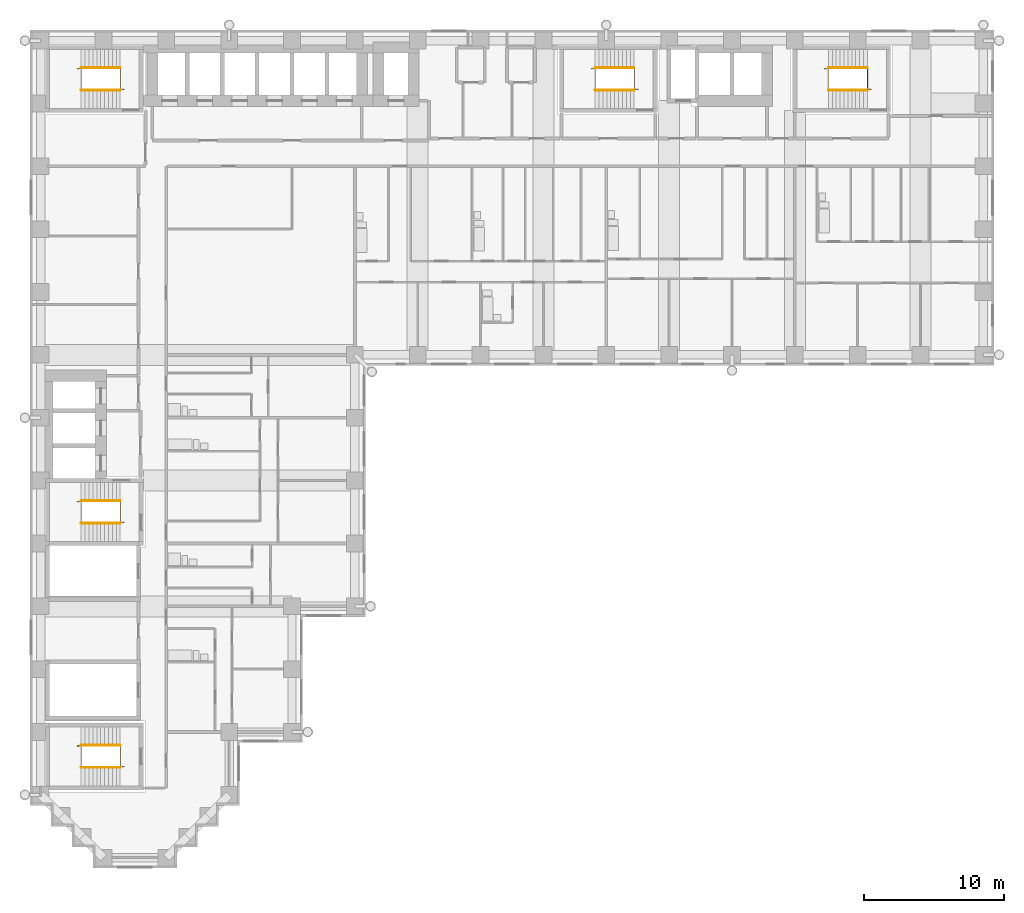
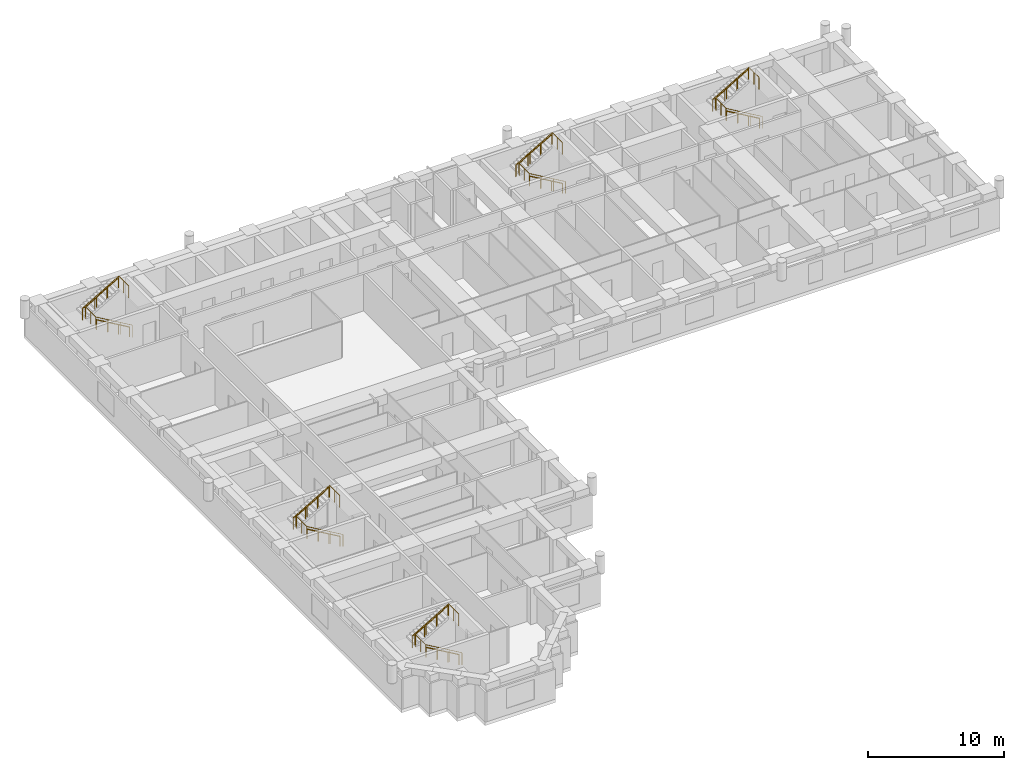
# One storey, part 13 of 14: 15 railings.
"""IFC4 building model written with IfcOpenShell, lengths in metres."""

from ifc_helpers import new_model, si_unit, direction, frame, origin, origin_2d, place, context, subcontext, project, spatial, circle, extrude, material, type_object, element, save


model = new_model("IFC4")

# Units and contexts
model_context = context("Model", 3, precision=1e-05, world=origin(), true_north=direction((0.0, 1.0)))
body_context = subcontext(model_context, "Body", "Model", "MODEL_VIEW")
ifc_project = project(units=[si_unit("LENGTHUNIT", "METRE"), si_unit("AREAUNIT", "SQUARE_METRE"), si_unit("VOLUMEUNIT", "CUBIC_METRE"), si_unit("PLANEANGLEUNIT", "RADIAN"), si_unit("MASSUNIT", "GRAM", prefix="KILO")], contexts=[model_context])

# Site, building, storey
site_placement = place(None, origin())
site = spatial("IfcSite", under=ifc_project, at=site_placement, CompositionType="ELEMENT")
building_placement = place(site_placement, origin())
building = spatial("IfcBuilding", under=site, at=building_placement, Name="Firuza Court", CompositionType="ELEMENT")
storey_placement = place(building_placement, frame((0.0, 0.0, 47.0)))
storey = spatial("IfcBuildingStorey", under=building, at=storey_placement, Name="L10", CompositionType="ELEMENT", Elevation=47.0)

# Railings
ifc_material_1 = material(Name="Steel S355", Category="steel")
railing_type_1 = type_object("IfcRailingType", Name="Handrail 900", PredefinedType="HANDRAIL", material=ifc_material_1)
railing_1_placement = place(storey_placement, frame((42.5, 54.949951171875, 0.16357421875)))
element("IfcRailing", 1, at=railing_1_placement, inside=storey, type_object=railing_type_1, Name="Handrail S1 flight 1", PredefinedType="HANDRAIL", context=body_context, shape_type="SweptSolid", body=[
    extrude(circle(Radius=0.02490234375, at=origin_2d()), frame((0.0, 0.0, 0.875), z_axis=(-0.863360870873, 0.0, 0.504586966384), x_axis=(0.0, -1.0, 0.0)), (0.0, 0.0, 1.0), 3.2431640625),
    extrude(circle(Radius=0.02001953125, at=origin_2d()), origin(), (0.0, 0.0, 1.0), 0.849853515625),
    extrude(circle(Radius=0.02001953125, at=origin_2d()), frame((-0.933349609375, 0.0, 0.54541015625)), (0.0, 0.0, 1.0), 0.849853515625),
    extrude(circle(Radius=0.02001953125, at=origin_2d()), frame((-1.86669921875, 0.0, 1.091064453125)), (0.0, 0.0, 1.0), 0.849853515625),
    extrude(circle(Radius=0.02001953125, at=origin_2d()), frame((-2.800048828125, 0.0, 1.636474609375)), (0.0, 0.0, 1.0), 0.849853515625),
])
railing_2_placement = place(storey_placement, frame((39.699951171875, 56.550048828125, 1.963623046875)))
element("IfcRailing", 2, at=railing_2_placement, inside=storey, type_object=railing_type_1, Name="Handrail S1 flight 2", PredefinedType="HANDRAIL", context=body_context, shape_type="SweptSolid", body=[
    extrude(circle(Radius=0.02490234375, at=origin_2d()), frame((0.0, 0.0, 0.875), z_axis=(0.863360870873, 0.0, 0.504586966384), x_axis=(0.0, 1.0, 0.0)), (0.0, 0.0, 1.0), 3.2431640625),
    extrude(circle(Radius=0.02001953125, at=origin_2d()), origin(), (0.0, 0.0, 1.0), 0.849853515625),
    extrude(circle(Radius=0.02001953125, at=origin_2d()), frame((0.933349609375, 0.0, 0.54541015625)), (0.0, 0.0, 1.0), 0.849853515625),
    extrude(circle(Radius=0.02001953125, at=origin_2d()), frame((1.86669921875, 0.0, 1.091064453125)), (0.0, 0.0, 1.0), 0.849853515625),
    extrude(circle(Radius=0.02001953125, at=origin_2d()), frame((2.800048828125, 0.0, 1.636474609375)), (0.0, 0.0, 1.0), 0.849853515625),
])
railing_3_placement = place(storey_placement, frame((5.699951171875, 23.949951171875, 0.16357421875)))
element("IfcRailing", 3, at=railing_3_placement, inside=storey, type_object=railing_type_1, Name="Handrail S2 flight 1", PredefinedType="HANDRAIL", context=body_context, shape_type="SweptSolid", body=[
    extrude(circle(Radius=0.02490234375, at=origin_2d()), frame((0.0, 0.0, 0.875), z_axis=(-0.863360870873, 0.0, 0.504586966384), x_axis=(0.0, -1.0, 0.0)), (0.0, 0.0, 1.0), 3.2431640625),
    extrude(circle(Radius=0.02001953125, at=origin_2d()), origin(), (0.0, 0.0, 1.0), 0.849853515625),
    extrude(circle(Radius=0.02001953125, at=origin_2d()), frame((-0.933349609375, 0.0, 0.54541015625)), (0.0, 0.0, 1.0), 0.849853515625),
    extrude(circle(Radius=0.02001953125, at=origin_2d()), frame((-1.86669921875, 0.0, 1.091064453125)), (0.0, 0.0, 1.0), 0.849853515625),
    extrude(circle(Radius=0.02001953125, at=origin_2d()), frame((-2.800048828125, 0.0, 1.636474609375)), (0.0, 0.0, 1.0), 0.849853515625),
])
railing_4_placement = place(storey_placement, frame((2.89990234375, 25.550048828125, 1.963623046875)))
element("IfcRailing", 4, at=railing_4_placement, inside=storey, type_object=railing_type_1, Name="Handrail S2 flight 2", PredefinedType="HANDRAIL", context=body_context, shape_type="SweptSolid", body=[
    extrude(circle(Radius=0.02490234375, at=origin_2d()), frame((0.0, 0.0, 0.875), z_axis=(0.863360870873, 0.0, 0.504586966384), x_axis=(0.0, 1.0, 0.0)), (0.0, 0.0, 1.0), 3.2431640625),
    extrude(circle(Radius=0.02001953125, at=origin_2d()), origin(), (0.0, 0.0, 1.0), 0.849853515625),
    extrude(circle(Radius=0.02001953125, at=origin_2d()), frame((0.933349609375, 0.0, 0.54541015625)), (0.0, 0.0, 1.0), 0.849853515625),
    extrude(circle(Radius=0.02001953125, at=origin_2d()), frame((1.86669921875, 0.0, 1.091064453125)), (0.0, 0.0, 1.0), 0.849853515625),
    extrude(circle(Radius=0.02001953125, at=origin_2d()), frame((2.800048828125, 0.0, 1.636474609375)), (0.0, 0.0, 1.0), 0.849853515625),
])
railing_5_placement = place(storey_placement, frame((5.699951171875, 54.949951171875, 0.16357421875)))
element("IfcRailing", 5, at=railing_5_placement, inside=storey, type_object=railing_type_1, Name="Handrail S3 flight 1", PredefinedType="HANDRAIL", context=body_context, shape_type="SweptSolid", body=[
    extrude(circle(Radius=0.02490234375, at=origin_2d()), frame((0.0, 0.0, 0.875), z_axis=(-0.863360870873, 0.0, 0.504586966384), x_axis=(0.0, -1.0, 0.0)), (0.0, 0.0, 1.0), 3.2431640625),
    extrude(circle(Radius=0.02001953125, at=origin_2d()), origin(), (0.0, 0.0, 1.0), 0.849853515625),
    extrude(circle(Radius=0.02001953125, at=origin_2d()), frame((-0.933349609375, 0.0, 0.54541015625)), (0.0, 0.0, 1.0), 0.849853515625),
    extrude(circle(Radius=0.02001953125, at=origin_2d()), frame((-1.86669921875, 0.0, 1.091064453125)), (0.0, 0.0, 1.0), 0.849853515625),
    extrude(circle(Radius=0.02001953125, at=origin_2d()), frame((-2.800048828125, 0.0, 1.636474609375)), (0.0, 0.0, 1.0), 0.849853515625),
])
railing_6_placement = place(storey_placement, frame((2.89990234375, 56.550048828125, 1.963623046875)))
element("IfcRailing", 6, at=railing_6_placement, inside=storey, type_object=railing_type_1, Name="Handrail S3 flight 2", PredefinedType="HANDRAIL", context=body_context, shape_type="SweptSolid", body=[
    extrude(circle(Radius=0.02490234375, at=origin_2d()), frame((0.0, 0.0, 0.875), z_axis=(0.863360870873, 0.0, 0.504586966384), x_axis=(0.0, 1.0, 0.0)), (0.0, 0.0, 1.0), 3.2431640625),
    extrude(circle(Radius=0.02001953125, at=origin_2d()), origin(), (0.0, 0.0, 1.0), 0.849853515625),
    extrude(circle(Radius=0.02001953125, at=origin_2d()), frame((0.933349609375, 0.0, 0.54541015625)), (0.0, 0.0, 1.0), 0.849853515625),
    extrude(circle(Radius=0.02001953125, at=origin_2d()), frame((1.86669921875, 0.0, 1.091064453125)), (0.0, 0.0, 1.0), 0.849853515625),
    extrude(circle(Radius=0.02001953125, at=origin_2d()), frame((2.800048828125, 0.0, 1.636474609375)), (0.0, 0.0, 1.0), 0.849853515625),
])
railing_7_placement = place(storey_placement, frame((59.199951171875, 54.949951171875, 0.16357421875)))
element("IfcRailing", 7, at=railing_7_placement, inside=storey, type_object=railing_type_1, Name="Handrail S4 flight 1", PredefinedType="HANDRAIL", context=body_context, shape_type="SweptSolid", body=[
    extrude(circle(Radius=0.02490234375, at=origin_2d()), frame((0.0, 0.0, 0.875), z_axis=(-0.863360870873, 0.0, 0.504586966384), x_axis=(0.0, -1.0, 0.0)), (0.0, 0.0, 1.0), 3.2431640625),
    extrude(circle(Radius=0.02001953125, at=origin_2d()), origin(), (0.0, 0.0, 1.0), 0.849853515625),
    extrude(circle(Radius=0.02001953125, at=origin_2d()), frame((-0.933349609375, 0.0, 0.54541015625)), (0.0, 0.0, 1.0), 0.849853515625),
    extrude(circle(Radius=0.02001953125, at=origin_2d()), frame((-1.86669921875, 0.0, 1.091064453125)), (0.0, 0.0, 1.0), 0.849853515625),
    extrude(circle(Radius=0.02001953125, at=origin_2d()), frame((-2.800048828125, 0.0, 1.636474609375)), (0.0, 0.0, 1.0), 0.849853515625),
])
railing_8_placement = place(storey_placement, frame((56.39990234375, 56.550048828125, 1.963623046875)))
element("IfcRailing", 8, at=railing_8_placement, inside=storey, type_object=railing_type_1, Name="Handrail S4 flight 2", PredefinedType="HANDRAIL", context=body_context, shape_type="SweptSolid", body=[
    extrude(circle(Radius=0.02490234375, at=origin_2d()), frame((0.0, 0.0, 0.875), z_axis=(0.863360870873, 0.0, 0.504586966384), x_axis=(0.0, 1.0, 0.0)), (0.0, 0.0, 1.0), 3.2431640625),
    extrude(circle(Radius=0.02001953125, at=origin_2d()), origin(), (0.0, 0.0, 1.0), 0.849853515625),
    extrude(circle(Radius=0.02001953125, at=origin_2d()), frame((0.933349609375, 0.0, 0.54541015625)), (0.0, 0.0, 1.0), 0.849853515625),
    extrude(circle(Radius=0.02001953125, at=origin_2d()), frame((1.86669921875, 0.0, 1.091064453125)), (0.0, 0.0, 1.0), 0.849853515625),
    extrude(circle(Radius=0.02001953125, at=origin_2d()), frame((2.800048828125, 0.0, 1.636474609375)), (0.0, 0.0, 1.0), 0.849853515625),
])
railing_9_placement = place(storey_placement, frame((5.699951171875, 6.449951171875, 0.16357421875)))
element("IfcRailing", 9, at=railing_9_placement, inside=storey, type_object=railing_type_1, Name="Handrail S5 flight 1", PredefinedType="HANDRAIL", context=body_context, shape_type="SweptSolid", body=[
    extrude(circle(Radius=0.02490234375, at=origin_2d()), frame((0.0, 0.0, 0.875), z_axis=(-0.863360870873, 0.0, 0.504586966384), x_axis=(0.0, -1.0, 0.0)), (0.0, 0.0, 1.0), 3.2431640625),
    extrude(circle(Radius=0.02001953125, at=origin_2d()), origin(), (0.0, 0.0, 1.0), 0.849853515625),
    extrude(circle(Radius=0.02001953125, at=origin_2d()), frame((-0.933349609375, 0.0, 0.54541015625)), (0.0, 0.0, 1.0), 0.849853515625),
    extrude(circle(Radius=0.02001953125, at=origin_2d()), frame((-1.86669921875, 0.0, 1.091064453125)), (0.0, 0.0, 1.0), 0.849853515625),
    extrude(circle(Radius=0.02001953125, at=origin_2d()), frame((-2.800048828125, 0.0, 1.636474609375)), (0.0, 0.0, 1.0), 0.849853515625),
])
railing_10_placement = place(storey_placement, frame((2.89990234375, 8.050048828125, 1.963623046875)))
element("IfcRailing", 10, at=railing_10_placement, inside=storey, type_object=railing_type_1, Name="Handrail S5 flight 2", PredefinedType="HANDRAIL", context=body_context, shape_type="SweptSolid", body=[
    extrude(circle(Radius=0.02490234375, at=origin_2d()), frame((0.0, 0.0, 0.875), z_axis=(0.863360870873, 0.0, 0.504586966384), x_axis=(0.0, 1.0, 0.0)), (0.0, 0.0, 1.0), 3.2431640625),
    extrude(circle(Radius=0.02001953125, at=origin_2d()), origin(), (0.0, 0.0, 1.0), 0.849853515625),
    extrude(circle(Radius=0.02001953125, at=origin_2d()), frame((0.933349609375, 0.0, 0.54541015625)), (0.0, 0.0, 1.0), 0.849853515625),
    extrude(circle(Radius=0.02001953125, at=origin_2d()), frame((1.86669921875, 0.0, 1.091064453125)), (0.0, 0.0, 1.0), 0.849853515625),
    extrude(circle(Radius=0.02001953125, at=origin_2d()), frame((2.800048828125, 0.0, 1.636474609375)), (0.0, 0.0, 1.0), 0.849853515625),
])
ifc_material_2 = material(Name="Steel S355", Category="steel")
railing_type_2 = type_object("IfcRailingType", Name="Stair guard 1100", PredefinedType="GUARDRAIL", material=ifc_material_2)
railing_11_placement = place(storey_placement, frame((42.780029296875, 55.010009765625, 0.0)))
element("IfcRailing", 11, at=railing_11_placement, inside=storey, type_object=railing_type_2, Name="Stair well guard S1", PredefinedType="GUARDRAIL", context=body_context, shape_type="SweptSolid", body=[
    extrude(circle(Radius=0.02490234375, at=origin_2d()), frame((0.0, 0.0, 1.0751953125), z_axis=(-0.863371556955, 0.0, 0.504568681787), x_axis=(0.0, -1.0, 0.0)), (0.0, 0.0, 1.0), 3.5673828125),
    extrude(circle(Radius=0.02490234375, at=origin_2d()), frame((-3.080078125, 0.0, 2.875), z_axis=(0.0, 1.0, 0.0), x_axis=(-1.0, 0.0, 0.0)), (0.0, 0.0, 1.0), 1.47998046875),
    extrude(circle(Radius=0.02490234375, at=origin_2d()), frame((-3.080078125, 1.47998046875, 2.875), z_axis=(-1.0, 0.0, 0.0), x_axis=(0.0, -1.0, 0.0)), (0.0, 0.0, 1.0), 0.280029296875),
    extrude(circle(Radius=0.02490234375, at=origin_2d()), frame((-3.360107421875, 1.47998046875, 2.875), z_axis=(0.863371556955, 0.0, 0.504568681787), x_axis=(0.0, 1.0, 0.0)), (0.0, 0.0, 1.0), 3.5673828125),
    extrude(circle(Radius=0.02490234375, at=origin_2d()), frame((-0.280029296875, 1.47998046875, 4.67529296875), z_axis=(0.0, -1.0, 0.0), x_axis=(1.0, 0.0, 0.0)), (0.0, 0.0, 1.0), 1.47998046875),
    extrude(circle(Radius=0.02490234375, at=origin_2d()), origin(), (0.0, 0.0, 1.0), 1.050048828125),
    extrude(circle(Radius=0.02490234375, at=origin_2d()), frame((-1.026611328125, 0.0, 0.60009765625)), (0.0, 0.0, 1.0), 1.050048828125),
    extrude(circle(Radius=0.02490234375, at=origin_2d()), frame((-2.053466796875, 0.0, 1.199951171875)), (0.0, 0.0, 1.0), 1.050048828125),
    extrude(circle(Radius=0.02490234375, at=origin_2d()), frame((-3.080078125, 0.0, 1.800048828125)), (0.0, 0.0, 1.0), 1.050048828125),
    extrude(circle(Radius=0.02490234375, at=origin_2d()), frame((-3.080078125, 0.739990234375, 1.800048828125)), (0.0, 0.0, 1.0), 1.050048828125),
    extrude(circle(Radius=0.02490234375, at=origin_2d()), frame((-3.080078125, 1.47998046875, 1.800048828125)), (0.0, 0.0, 1.0), 1.050048828125),
    extrude(circle(Radius=0.02490234375, at=origin_2d()), frame((-3.360107421875, 1.47998046875, 1.800048828125)), (0.0, 0.0, 1.0), 1.050048828125),
    extrude(circle(Radius=0.02490234375, at=origin_2d()), frame((-2.33349609375, 1.47998046875, 2.400146484375)), (0.0, 0.0, 1.0), 1.050048828125),
    extrude(circle(Radius=0.02490234375, at=origin_2d()), frame((-1.306640625, 1.47998046875, 3.0)), (0.0, 0.0, 1.0), 1.050048828125),
    extrude(circle(Radius=0.02490234375, at=origin_2d()), frame((-0.280029296875, 1.47998046875, 3.60009765625)), (0.0, 0.0, 1.0), 1.050048828125),
    extrude(circle(Radius=0.02490234375, at=origin_2d()), frame((-0.280029296875, 0.739990234375, 3.60009765625)), (0.0, 0.0, 1.0), 1.050048828125),
    extrude(circle(Radius=0.02490234375, at=origin_2d()), frame((-0.280029296875, 0.0, 3.60009765625)), (0.0, 0.0, 1.0), 1.050048828125),
])
railing_12_placement = place(storey_placement, frame((5.97998046875, 24.010009765625, 0.0)))
element("IfcRailing", 12, at=railing_12_placement, inside=storey, type_object=railing_type_2, Name="Stair well guard S2", PredefinedType="GUARDRAIL", context=body_context, shape_type="SweptSolid", body=[
    extrude(circle(Radius=0.02490234375, at=origin_2d()), frame((0.0, 0.0, 1.0751953125), z_axis=(-0.863371556955, 0.0, 0.504568681787), x_axis=(0.0, -1.0, 0.0)), (0.0, 0.0, 1.0), 3.5673828125),
    extrude(circle(Radius=0.02490234375, at=origin_2d()), frame((-3.080078125, 0.0, 2.875), z_axis=(0.0, 1.0, 0.0), x_axis=(-1.0, 0.0, 0.0)), (0.0, 0.0, 1.0), 1.47998046875),
    extrude(circle(Radius=0.02490234375, at=origin_2d()), frame((-3.080078125, 1.47998046875, 2.875), z_axis=(-1.0, 0.0, 0.0), x_axis=(0.0, -1.0, 0.0)), (0.0, 0.0, 1.0), 0.27978515625),
    extrude(circle(Radius=0.02490234375, at=origin_2d()), frame((-3.35986328125, 1.47998046875, 2.875), z_axis=(0.863354132664, 0.0, 0.504598495452), x_axis=(0.0, 1.0, 0.0)), (0.0, 0.0, 1.0), 3.5673828125),
    extrude(circle(Radius=0.02490234375, at=origin_2d()), frame((-0.280029296875, 1.47998046875, 4.67529296875), z_axis=(0.0, -1.0, 0.0), x_axis=(1.0, 0.0, 0.0)), (0.0, 0.0, 1.0), 1.47998046875),
    extrude(circle(Radius=0.02490234375, at=origin_2d()), origin(), (0.0, 0.0, 1.0), 1.050048828125),
    extrude(circle(Radius=0.02490234375, at=origin_2d()), frame((-1.026611328125, 0.0, 0.60009765625)), (0.0, 0.0, 1.0), 1.050048828125),
    extrude(circle(Radius=0.02490234375, at=origin_2d()), frame((-2.053466796875, 0.0, 1.199951171875)), (0.0, 0.0, 1.0), 1.050048828125),
    extrude(circle(Radius=0.02490234375, at=origin_2d()), frame((-3.080078125, 0.0, 1.800048828125)), (0.0, 0.0, 1.0), 1.050048828125),
    extrude(circle(Radius=0.02490234375, at=origin_2d()), frame((-3.080078125, 0.739990234375, 1.800048828125)), (0.0, 0.0, 1.0), 1.050048828125),
    extrude(circle(Radius=0.02490234375, at=origin_2d()), frame((-3.080078125, 1.47998046875, 1.800048828125)), (0.0, 0.0, 1.0), 1.050048828125),
    extrude(circle(Radius=0.02490234375, at=origin_2d()), frame((-3.35986328125, 1.47998046875, 1.800048828125)), (0.0, 0.0, 1.0), 1.050048828125),
    extrude(circle(Radius=0.02490234375, at=origin_2d()), frame((-2.333251953125, 1.47998046875, 2.400146484375)), (0.0, 0.0, 1.0), 1.050048828125),
    extrude(circle(Radius=0.02490234375, at=origin_2d()), frame((-1.306640625, 1.47998046875, 3.0)), (0.0, 0.0, 1.0), 1.050048828125),
    extrude(circle(Radius=0.02490234375, at=origin_2d()), frame((-0.280029296875, 1.47998046875, 3.60009765625)), (0.0, 0.0, 1.0), 1.050048828125),
    extrude(circle(Radius=0.02490234375, at=origin_2d()), frame((-0.280029296875, 0.739990234375, 3.60009765625)), (0.0, 0.0, 1.0), 1.050048828125),
    extrude(circle(Radius=0.02490234375, at=origin_2d()), frame((-0.280029296875, 0.0, 3.60009765625)), (0.0, 0.0, 1.0), 1.050048828125),
])
railing_13_placement = place(storey_placement, frame((5.97998046875, 55.010009765625, 0.0)))
element("IfcRailing", 13, at=railing_13_placement, inside=storey, type_object=railing_type_2, Name="Stair well guard S3", PredefinedType="GUARDRAIL", context=body_context, shape_type="SweptSolid", body=[
    extrude(circle(Radius=0.02490234375, at=origin_2d()), frame((0.0, 0.0, 1.0751953125), z_axis=(-0.863371556955, 0.0, 0.504568681787), x_axis=(0.0, -1.0, 0.0)), (0.0, 0.0, 1.0), 3.5673828125),
    extrude(circle(Radius=0.02490234375, at=origin_2d()), frame((-3.080078125, 0.0, 2.875), z_axis=(0.0, 1.0, 0.0), x_axis=(-1.0, 0.0, 0.0)), (0.0, 0.0, 1.0), 1.47998046875),
    extrude(circle(Radius=0.02490234375, at=origin_2d()), frame((-3.080078125, 1.47998046875, 2.875), z_axis=(-1.0, 0.0, 0.0), x_axis=(0.0, -1.0, 0.0)), (0.0, 0.0, 1.0), 0.27978515625),
    extrude(circle(Radius=0.02490234375, at=origin_2d()), frame((-3.35986328125, 1.47998046875, 2.875), z_axis=(0.863354132664, 0.0, 0.504598495452), x_axis=(0.0, 1.0, 0.0)), (0.0, 0.0, 1.0), 3.5673828125),
    extrude(circle(Radius=0.02490234375, at=origin_2d()), frame((-0.280029296875, 1.47998046875, 4.67529296875), z_axis=(0.0, -1.0, 0.0), x_axis=(1.0, 0.0, 0.0)), (0.0, 0.0, 1.0), 1.47998046875),
    extrude(circle(Radius=0.02490234375, at=origin_2d()), origin(), (0.0, 0.0, 1.0), 1.050048828125),
    extrude(circle(Radius=0.02490234375, at=origin_2d()), frame((-1.026611328125, 0.0, 0.60009765625)), (0.0, 0.0, 1.0), 1.050048828125),
    extrude(circle(Radius=0.02490234375, at=origin_2d()), frame((-2.053466796875, 0.0, 1.199951171875)), (0.0, 0.0, 1.0), 1.050048828125),
    extrude(circle(Radius=0.02490234375, at=origin_2d()), frame((-3.080078125, 0.0, 1.800048828125)), (0.0, 0.0, 1.0), 1.050048828125),
    extrude(circle(Radius=0.02490234375, at=origin_2d()), frame((-3.080078125, 0.739990234375, 1.800048828125)), (0.0, 0.0, 1.0), 1.050048828125),
    extrude(circle(Radius=0.02490234375, at=origin_2d()), frame((-3.080078125, 1.47998046875, 1.800048828125)), (0.0, 0.0, 1.0), 1.050048828125),
    extrude(circle(Radius=0.02490234375, at=origin_2d()), frame((-3.35986328125, 1.47998046875, 1.800048828125)), (0.0, 0.0, 1.0), 1.050048828125),
    extrude(circle(Radius=0.02490234375, at=origin_2d()), frame((-2.333251953125, 1.47998046875, 2.400146484375)), (0.0, 0.0, 1.0), 1.050048828125),
    extrude(circle(Radius=0.02490234375, at=origin_2d()), frame((-1.306640625, 1.47998046875, 3.0)), (0.0, 0.0, 1.0), 1.050048828125),
    extrude(circle(Radius=0.02490234375, at=origin_2d()), frame((-0.280029296875, 1.47998046875, 3.60009765625)), (0.0, 0.0, 1.0), 1.050048828125),
    extrude(circle(Radius=0.02490234375, at=origin_2d()), frame((-0.280029296875, 0.739990234375, 3.60009765625)), (0.0, 0.0, 1.0), 1.050048828125),
    extrude(circle(Radius=0.02490234375, at=origin_2d()), frame((-0.280029296875, 0.0, 3.60009765625)), (0.0, 0.0, 1.0), 1.050048828125),
])
railing_14_placement = place(storey_placement, frame((59.47998046875, 55.010009765625, 0.0)))
element("IfcRailing", 14, at=railing_14_placement, inside=storey, type_object=railing_type_2, Name="Stair well guard S4", PredefinedType="GUARDRAIL", context=body_context, shape_type="SweptSolid", body=[
    extrude(circle(Radius=0.02490234375, at=origin_2d()), frame((0.0, 0.0, 1.0751953125), z_axis=(-0.863371556955, 0.0, 0.504568681787), x_axis=(0.0, -1.0, 0.0)), (0.0, 0.0, 1.0), 3.5673828125),
    extrude(circle(Radius=0.02490234375, at=origin_2d()), frame((-3.080078125, 0.0, 2.875), z_axis=(0.0, 1.0, 0.0), x_axis=(-1.0, 0.0, 0.0)), (0.0, 0.0, 1.0), 1.47998046875),
    extrude(circle(Radius=0.02490234375, at=origin_2d()), frame((-3.080078125, 1.47998046875, 2.875), z_axis=(-1.0, 0.0, 0.0), x_axis=(0.0, -1.0, 0.0)), (0.0, 0.0, 1.0), 0.27978515625),
    extrude(circle(Radius=0.02490234375, at=origin_2d()), frame((-3.35986328125, 1.47998046875, 2.875), z_axis=(0.863354132664, 0.0, 0.504598495452), x_axis=(0.0, 1.0, 0.0)), (0.0, 0.0, 1.0), 3.5673828125),
    extrude(circle(Radius=0.02490234375, at=origin_2d()), frame((-0.280029296875, 1.47998046875, 4.67529296875), z_axis=(0.0, -1.0, 0.0), x_axis=(1.0, 0.0, 0.0)), (0.0, 0.0, 1.0), 1.47998046875),
    extrude(circle(Radius=0.02490234375, at=origin_2d()), origin(), (0.0, 0.0, 1.0), 1.050048828125),
    extrude(circle(Radius=0.02490234375, at=origin_2d()), frame((-1.026611328125, 0.0, 0.60009765625)), (0.0, 0.0, 1.0), 1.050048828125),
    extrude(circle(Radius=0.02490234375, at=origin_2d()), frame((-2.053466796875, 0.0, 1.199951171875)), (0.0, 0.0, 1.0), 1.050048828125),
    extrude(circle(Radius=0.02490234375, at=origin_2d()), frame((-3.080078125, 0.0, 1.800048828125)), (0.0, 0.0, 1.0), 1.050048828125),
    extrude(circle(Radius=0.02490234375, at=origin_2d()), frame((-3.080078125, 0.739990234375, 1.800048828125)), (0.0, 0.0, 1.0), 1.050048828125),
    extrude(circle(Radius=0.02490234375, at=origin_2d()), frame((-3.080078125, 1.47998046875, 1.800048828125)), (0.0, 0.0, 1.0), 1.050048828125),
    extrude(circle(Radius=0.02490234375, at=origin_2d()), frame((-3.35986328125, 1.47998046875, 1.800048828125)), (0.0, 0.0, 1.0), 1.050048828125),
    extrude(circle(Radius=0.02490234375, at=origin_2d()), frame((-2.333251953125, 1.47998046875, 2.400146484375)), (0.0, 0.0, 1.0), 1.050048828125),
    extrude(circle(Radius=0.02490234375, at=origin_2d()), frame((-1.306640625, 1.47998046875, 3.0)), (0.0, 0.0, 1.0), 1.050048828125),
    extrude(circle(Radius=0.02490234375, at=origin_2d()), frame((-0.280029296875, 1.47998046875, 3.60009765625)), (0.0, 0.0, 1.0), 1.050048828125),
    extrude(circle(Radius=0.02490234375, at=origin_2d()), frame((-0.280029296875, 0.739990234375, 3.60009765625)), (0.0, 0.0, 1.0), 1.050048828125),
    extrude(circle(Radius=0.02490234375, at=origin_2d()), frame((-0.280029296875, 0.0, 3.60009765625)), (0.0, 0.0, 1.0), 1.050048828125),
])
railing_15_placement = place(storey_placement, frame((5.97998046875, 6.510009765625, 0.0)))
element("IfcRailing", 15, at=railing_15_placement, inside=storey, type_object=railing_type_2, Name="Stair well guard S5", PredefinedType="GUARDRAIL", context=body_context, shape_type="SweptSolid", body=[
    extrude(circle(Radius=0.02490234375, at=origin_2d()), frame((0.0, 0.0, 1.0751953125), z_axis=(-0.863371556955, 0.0, 0.504568681787), x_axis=(0.0, -1.0, 0.0)), (0.0, 0.0, 1.0), 3.5673828125),
    extrude(circle(Radius=0.02490234375, at=origin_2d()), frame((-3.080078125, 0.0, 2.875), z_axis=(0.0, 1.0, 0.0), x_axis=(-1.0, 0.0, 0.0)), (0.0, 0.0, 1.0), 1.47998046875),
    extrude(circle(Radius=0.02490234375, at=origin_2d()), frame((-3.080078125, 1.47998046875, 2.875), z_axis=(-1.0, 0.0, 0.0), x_axis=(0.0, -1.0, 0.0)), (0.0, 0.0, 1.0), 0.27978515625),
    extrude(circle(Radius=0.02490234375, at=origin_2d()), frame((-3.35986328125, 1.47998046875, 2.875), z_axis=(0.863354132664, 0.0, 0.504598495452), x_axis=(0.0, 1.0, 0.0)), (0.0, 0.0, 1.0), 3.5673828125),
    extrude(circle(Radius=0.02490234375, at=origin_2d()), frame((-0.280029296875, 1.47998046875, 4.67529296875), z_axis=(0.0, -1.0, 0.0), x_axis=(1.0, 0.0, 0.0)), (0.0, 0.0, 1.0), 1.47998046875),
    extrude(circle(Radius=0.02490234375, at=origin_2d()), origin(), (0.0, 0.0, 1.0), 1.050048828125),
    extrude(circle(Radius=0.02490234375, at=origin_2d()), frame((-1.026611328125, 0.0, 0.60009765625)), (0.0, 0.0, 1.0), 1.050048828125),
    extrude(circle(Radius=0.02490234375, at=origin_2d()), frame((-2.053466796875, 0.0, 1.199951171875)), (0.0, 0.0, 1.0), 1.050048828125),
    extrude(circle(Radius=0.02490234375, at=origin_2d()), frame((-3.080078125, 0.0, 1.800048828125)), (0.0, 0.0, 1.0), 1.050048828125),
    extrude(circle(Radius=0.02490234375, at=origin_2d()), frame((-3.080078125, 0.739990234375, 1.800048828125)), (0.0, 0.0, 1.0), 1.050048828125),
    extrude(circle(Radius=0.02490234375, at=origin_2d()), frame((-3.080078125, 1.47998046875, 1.800048828125)), (0.0, 0.0, 1.0), 1.050048828125),
    extrude(circle(Radius=0.02490234375, at=origin_2d()), frame((-3.35986328125, 1.47998046875, 1.800048828125)), (0.0, 0.0, 1.0), 1.050048828125),
    extrude(circle(Radius=0.02490234375, at=origin_2d()), frame((-2.333251953125, 1.47998046875, 2.400146484375)), (0.0, 0.0, 1.0), 1.050048828125),
    extrude(circle(Radius=0.02490234375, at=origin_2d()), frame((-1.306640625, 1.47998046875, 3.0)), (0.0, 0.0, 1.0), 1.050048828125),
    extrude(circle(Radius=0.02490234375, at=origin_2d()), frame((-0.280029296875, 1.47998046875, 3.60009765625)), (0.0, 0.0, 1.0), 1.050048828125),
    extrude(circle(Radius=0.02490234375, at=origin_2d()), frame((-0.280029296875, 0.739990234375, 3.60009765625)), (0.0, 0.0, 1.0), 1.050048828125),
    extrude(circle(Radius=0.02490234375, at=origin_2d()), frame((-0.280029296875, 0.0, 3.60009765625)), (0.0, 0.0, 1.0), 1.050048828125),
])

save(model, "model.ifc")
